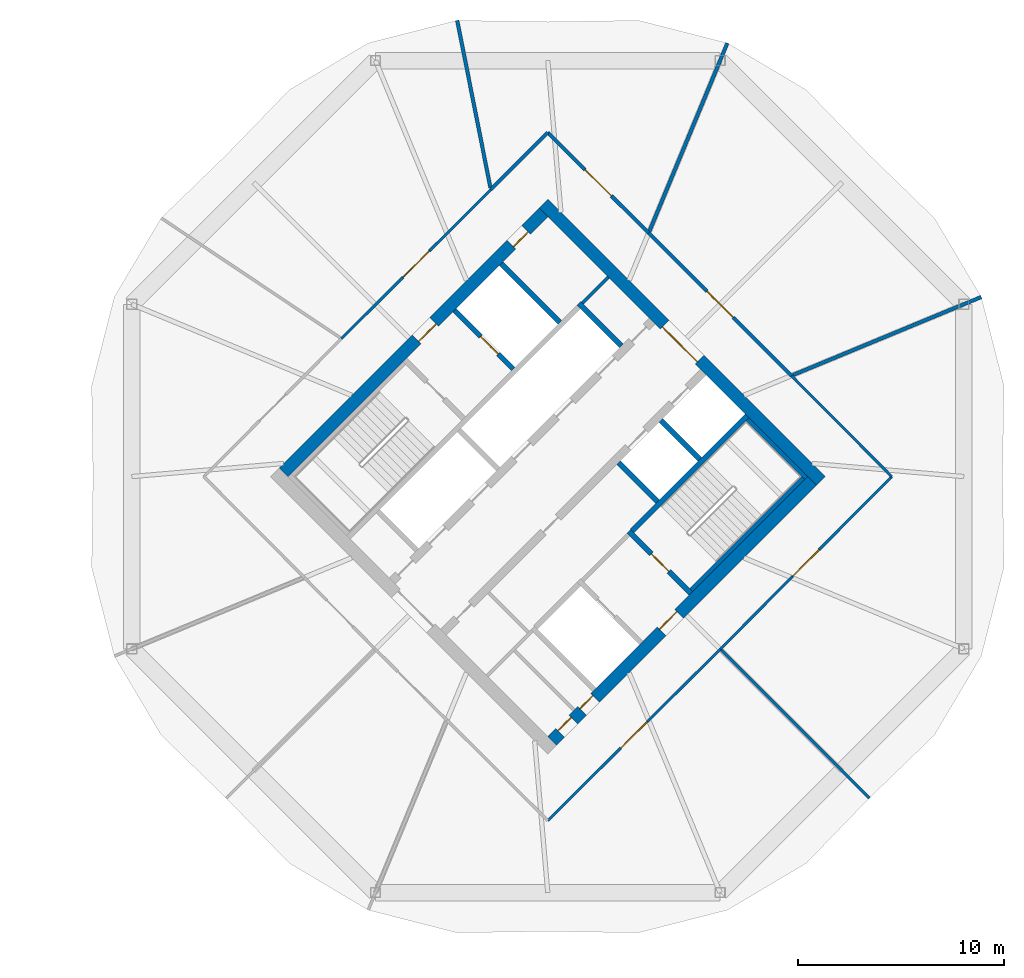
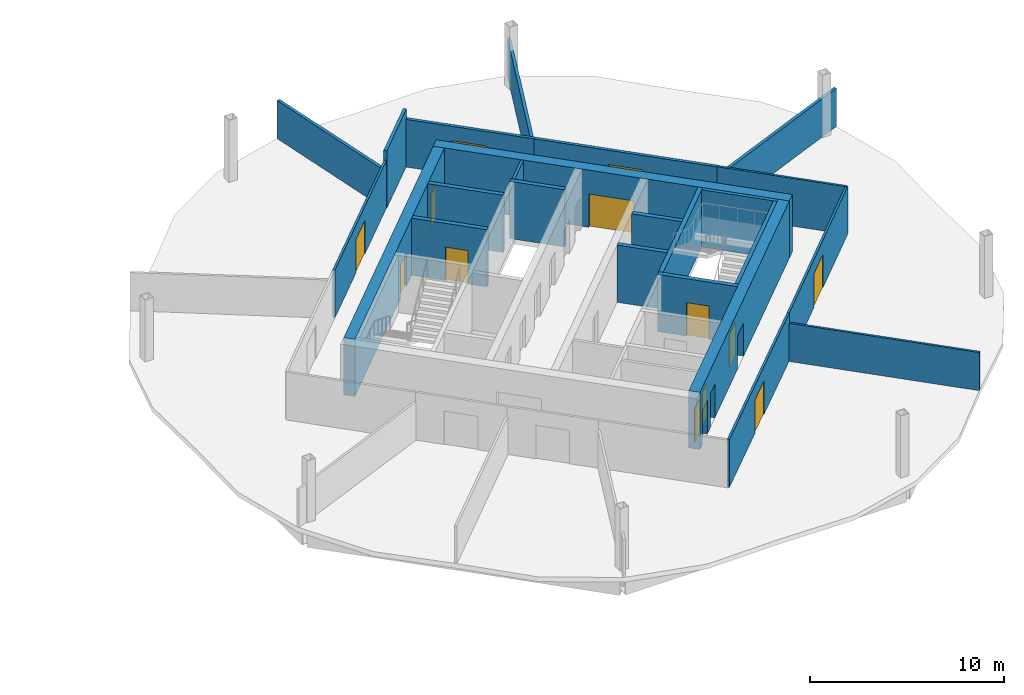
# One storey, part 8 of 10: 24 walls, 13 doors, 13 openings.
"""IFC4 building model written with IfcOpenShell, lengths in metres."""

from ifc_helpers import new_model, si_unit, direction, frame, frame_2d, origin, place, context, subcontext, project, spatial, rectangle, extrude, material, layer, layer_set, type_object, element, fill, save


model = new_model("IFC4")

# Units and contexts
model_context = context("Model", 3, precision=1e-05, world=origin(), true_north=direction((0.0, 1.0)))
body_context = subcontext(model_context, "Body", "Model", "MODEL_VIEW")
ifc_project = project(units=[si_unit("LENGTHUNIT", "METRE"), si_unit("AREAUNIT", "SQUARE_METRE"), si_unit("VOLUMEUNIT", "CUBIC_METRE"), si_unit("PLANEANGLEUNIT", "RADIAN"), si_unit("MASSUNIT", "GRAM", prefix="KILO")], contexts=[model_context])

# Site, building, storey
site_placement = place(None, origin())
site = spatial("IfcSite", under=ifc_project, at=site_placement, CompositionType="ELEMENT")
building_placement = place(site_placement, origin())
building = spatial("IfcBuilding", under=site, at=building_placement, Name="Ogive Gate Towers", CompositionType="ELEMENT")
storey_placement = place(building_placement, frame((0.0, 0.0, 169.5)))
storey = spatial("IfcBuildingStorey", under=building, at=storey_placement, Name="L40", CompositionType="ELEMENT", Elevation=169.5)

# Walls
ifc_material_1 = material(Name="Gypsum board acoustic partition")
ifc_layer_1 = layer(ifc_material_1, 0.175048828125)
ifc_layer_set_1 = layer_set([ifc_layer_1], Name="Acoustic partition 175")
wall_type_1 = type_object("IfcWallType", Name="Acoustic partition 175", PredefinedType="PARTITIONING", material=ifc_layer_set_1)
for number, where, z_axis, x_axis, name in (
    (1, (56.999755859375, 8.698486328125, 0.0), (0.0, 0.0, 1.0), (-0.923882696383, -0.382675794013, 0.0), "Partition T2-L40-001"),
    (2, (44.698486328125, 20.999755859375, 0.0), (0.0, 0.0, 1.0), (-0.382675794013, -0.923882696383, 0.0), "Partition T2-L40-002"),
):
    element("IfcWall", number, at=place(storey_placement, frame(where, z_axis=z_axis, x_axis=x_axis)), inside=storey, type_object=wall_type_1, Name=name, PredefinedType="PARTITIONING", context=body_context, shape_type="SweptSolid", body=[
        extrude(rectangle(XDim=9.87158203125, YDim=0.175048828125, at=frame_2d((4.935791015625, 0.0))), origin(), (0.0, 0.0, 1.0), 2.39990234375),
    ])
wall_1_placement = place(storey_placement, frame((31.612548828125, 22.09814453125, 0.0), z_axis=(0.0, 0.0, 1.0), x_axis=(0.194747981296, -0.9808533141, 0.0)))
element("IfcWall", 3, at=wall_1_placement, inside=storey, type_object=wall_type_1, Name="Partition T2-L40-003", PredefinedType="PARTITIONING", context=body_context, shape_type="SweptSolid", body=[
    extrude(rectangle(XDim=8.271484375, YDim=0.175048828125, at=frame_2d((4.1357421875, 0.0))), origin(), (0.0, 0.0, 1.0), 2.39990234375),
])

# Wall, opening, door
wall_2_placement = place(storey_placement, frame((40.88720703125, 11.798828125, 0.0), z_axis=(0.0, 0.0, 1.0), x_axis=(-0.709034527983, 0.705173764492, 0.0)))
wall_2 = element("IfcWall", 4, at=wall_2_placement, inside=storey, type_object=wall_type_1, Name="Partition T2-L40-009", PredefinedType="PARTITIONING", context=body_context, shape_type="SweptSolid", body=[
    extrude(rectangle(XDim=6.892822265625, YDim=0.175048828125, at=frame_2d((3.4462890625, 0.0))), origin(), (0.0, 0.0, 1.0), 3.0),
])
opening_1_placement = place(wall_2_placement, frame((2.5458984375, 0.0, 0.0)))
opening_1 = element("IfcOpeningElement", 5, at=opening_1_placement, cuts=wall_2, Name="Opening T2-L40-D01", PredefinedType="OPENING", context=body_context, shape_type="SweptSolid", body=[
    extrude(rectangle(XDim=1.800048828125, YDim=2.10009765625, at=frame_2d((0.89990234375, 1.050048828125))), frame((0.0, 0.09765625, 0.0), z_axis=(0.0, -1.0, 0.0), x_axis=(1.0, 0.0, 0.0)), (0.0, 0.0, 1.0), 0.195068359375),
])
ifc_material_2 = material(Name="Timber door", Category="wood")
door_type_1 = type_object("IfcDoorType", Name="Door pair 1800", OperationType="NOTDEFINED", PredefinedType="DOOR", material=ifc_material_2)
door_1_placement = place(opening_1_placement, origin())
door_1 = element("IfcDoor", 6, at=door_1_placement, inside=storey, type_object=door_type_1, Name="Door T2-L40-D01", OperationType="DOUBLE_DOOR_DOUBLE_SWING", OverallHeight=2.10009765625, OverallWidth=1.800048828125, PredefinedType="DOOR", context=body_context, shape_type="SweptSolid", body=[
    extrude(rectangle(XDim=1.800048828125, YDim=2.10009765625, at=frame_2d((0.89990234375, 1.050048828125))), frame((0.0, 0.02490234375, 0.0), z_axis=(0.0, -1.0, 0.0), x_axis=(1.0, 0.0, 0.0)), (0.0, 0.0, 1.0), 0.050048828125),
])
fill(opening_1, door_1)

# Wall
wall_3_placement = place(storey_placement, frame((36.0, 16.659423828125, 0.0), z_axis=(0.0, 0.0, 1.0), x_axis=(-0.707075505039, -0.707138055951, 0.0)))
element("IfcWall", 7, at=wall_3_placement, inside=storey, type_object=wall_type_1, Name="Partition T2-L40-010", PredefinedType="PARTITIONING", context=body_context, shape_type="SweptSolid", body=[
    extrude(rectangle(XDim=3.903076171875, YDim=0.175048828125, at=frame_2d((1.95166015625, 0.0))), origin(), (0.0, 0.0, 1.0), 3.60009765625),
])

# Wall, opening, door
wall_4_placement = place(storey_placement, frame((47.798828125, 4.88720703125, 0.0), z_axis=(0.0, 0.0, 1.0), x_axis=(-0.707106781187, 0.707106781187, 0.0)))
wall_4 = element("IfcWall", 8, at=wall_4_placement, inside=storey, type_object=wall_type_1, Name="Partition T2-L40-020", PredefinedType="PARTITIONING", context=body_context, shape_type="SweptSolid", body=[
    extrude(rectangle(XDim=9.7744140625, YDim=0.175048828125, at=frame_2d((4.88720703125, 0.0))), origin(), (0.0, 0.0, 1.0), 3.0),
])
opening_2_placement = place(wall_4_placement, frame((3.987060546875, 0.0, 0.0)))
opening_2 = element("IfcOpeningElement", 9, at=opening_2_placement, cuts=wall_4, Name="Opening T2-L40-D08", PredefinedType="OPENING", context=body_context, shape_type="SweptSolid", body=[
    extrude(rectangle(XDim=1.800048828125, YDim=2.10009765625, at=frame_2d((0.89990234375, 1.050048828125))), frame((0.0, 0.09765625, 0.0), z_axis=(0.0, -1.0, 0.0), x_axis=(1.0, 0.0, 0.0)), (0.0, 0.0, 1.0), 0.195068359375),
])
door_2_placement = place(opening_2_placement, origin())
door_2 = element("IfcDoor", 10, at=door_2_placement, inside=storey, type_object=door_type_1, Name="Door T2-L40-D08", OperationType="DOUBLE_DOOR_DOUBLE_SWING", OverallHeight=2.10009765625, OverallWidth=1.800048828125, PredefinedType="DOOR", context=body_context, shape_type="SweptSolid", body=[
    extrude(rectangle(XDim=1.800048828125, YDim=2.10009765625, at=frame_2d((0.89990234375, 1.050048828125))), frame((0.0, 0.02490234375, 0.0), z_axis=(0.0, -1.0, 0.0), x_axis=(1.0, 0.0, 0.0)), (0.0, 0.0, 1.0), 0.050048828125),
])
fill(opening_2, door_2)

# Wall, openings, doors
ifc_material_3 = material(Name="Concrete C60/75", Category="concrete")
ifc_layer_2 = layer(ifc_material_3, 0.60009765625)
ifc_layer_set_2 = layer_set([ifc_layer_2], Name="Core wall 600 mm")
wall_type_2 = type_object("IfcWallType", Name="Core wall 600 mm", PredefinedType="SHEAR", material=ifc_layer_set_2)
wall_5_placement = place(storey_placement, frame((36.212158203125, -12.798583984375, 0.0), z_axis=(0.0, 0.0, 1.0), x_axis=(0.707106781187, 0.707106781187, 0.0)))
wall_5 = element("IfcWall", 11, at=wall_5_placement, inside=storey, type_object=wall_type_2, Name="T2 L40 Core wall 600 mm", PredefinedType="SHEAR", context=body_context, shape_type="SweptSolid", body=[
    extrude(rectangle(XDim=17.7998046875, YDim=0.60009765625, at=frame_2d((8.89990234375, 0.0))), origin(), (0.0, 0.0, 1.0), 3.60009765625),
])
opening_3_placement = place(wall_5_placement, frame((7.5, 0.0, 0.0)))
opening_3 = element("IfcOpeningElement", 12, at=opening_3_placement, cuts=wall_5, Name="Opening KD-T2-L40-19", PredefinedType="OPENING", context=body_context, shape_type="SweptSolid", body=[
    extrude(rectangle(XDim=1.199951171875, YDim=2.10009765625, at=frame_2d((0.60009765625, 1.050048828125))), frame((0.0, 0.31005859375, 0.0), z_axis=(0.0, -1.0, 0.0), x_axis=(1.0, 0.0, 0.0)), (0.0, 0.0, 1.0), 0.6201171875),
])
opening_4_placement = place(wall_5_placement, frame((0.550048828125, 0.0, 0.0)))
opening_4 = element("IfcOpeningElement", 13, at=opening_4_placement, cuts=wall_5, Name="Opening KD-T2-L40-21", PredefinedType="OPENING", context=body_context, shape_type="SweptSolid", body=[
    extrude(rectangle(XDim=0.89990234375, YDim=2.10009765625, at=frame_2d((0.449951171875, 1.050048828125))), frame((0.0, 0.31005859375, 0.0), z_axis=(0.0, -1.0, 0.0), x_axis=(1.0, 0.0, 0.0)), (0.0, 0.0, 1.0), 0.6201171875),
])
opening_5_placement = place(wall_5_placement, frame((2.050048828125, 0.0, 0.0)))
opening_5 = element("IfcOpeningElement", 14, at=opening_5_placement, cuts=wall_5, Name="Opening KD-T2-L40-22", PredefinedType="OPENING", context=body_context, shape_type="SweptSolid", body=[
    extrude(rectangle(XDim=0.89990234375, YDim=2.10009765625, at=frame_2d((0.449951171875, 1.050048828125))), frame((0.0, 0.31005859375, 0.0), z_axis=(0.0, -1.0, 0.0), x_axis=(1.0, 0.0, 0.0)), (0.0, 0.0, 1.0), 0.6201171875),
])
door_type_2 = type_object("IfcDoorType", Name="Core WC door 900 x 2100", OperationType="NOTDEFINED", PredefinedType="DOOR", material=ifc_material_2)
door_3_placement = place(opening_4_placement, origin())
door_3 = element("IfcDoor", 15, at=door_3_placement, inside=storey, type_object=door_type_2, Name="T2 L40 Core door", OperationType="SINGLE_SWING_RIGHT", OverallHeight=2.10009765625, OverallWidth=0.89990234375, PredefinedType="DOOR", context=body_context, shape_type="SweptSolid", body=[
    extrude(rectangle(XDim=0.89990234375, YDim=2.10009765625, at=frame_2d((0.449951171875, 1.050048828125))), frame((0.0, 0.1748046875, 0.0), z_axis=(0.0, -1.0, 0.0), x_axis=(1.0, 0.0, 0.0)), (0.0, 0.0, 1.0), 0.050048828125),
])
fill(opening_4, door_3)
door_4_placement = place(opening_5_placement, origin())
door_4 = element("IfcDoor", 16, at=door_4_placement, inside=storey, type_object=door_type_2, Name="T2 L40 Core door", OperationType="SINGLE_SWING_LEFT", OverallHeight=2.10009765625, OverallWidth=0.89990234375, PredefinedType="DOOR", context=body_context, shape_type="SweptSolid", body=[
    extrude(rectangle(XDim=0.89990234375, YDim=2.10009765625, at=frame_2d((0.449951171875, 1.050048828125))), frame((0.0, 0.1748046875, 0.0), z_axis=(0.0, -1.0, 0.0), x_axis=(1.0, 0.0, 0.0)), (0.0, 0.0, 1.0), 0.050048828125),
])
fill(opening_5, door_4)
ifc_material_4 = material(Name="Steel fire door", Category="steel")
door_type_3 = type_object("IfcDoorType", Name="Core door FD60S 1200 x 2100", OperationType="NOTDEFINED", PredefinedType="DOOR", material=ifc_material_4)
door_5_placement = place(opening_3_placement, origin())
door_5 = element("IfcDoor", 17, at=door_5_placement, inside=storey, type_object=door_type_3, Name="T2 L40 Fire-fighting lobby door", OperationType="SINGLE_SWING_RIGHT", OverallHeight=2.10009765625, OverallWidth=1.199951171875, PredefinedType="DOOR", context=body_context, shape_type="SweptSolid", body=[
    extrude(rectangle(XDim=1.199951171875, YDim=2.10009765625, at=frame_2d((0.60009765625, 1.050048828125))), frame((0.0, 0.1748046875, 0.0), z_axis=(0.0, -1.0, 0.0), x_axis=(1.0, 0.0, 0.0)), (0.0, 0.0, 1.0), 0.050048828125),
])
fill(opening_3, door_5)

wall_6_placement = place(storey_placement, frame((23.201416015625, 0.212158203125, 0.0), z_axis=(0.0, 0.0, 1.0), x_axis=(0.707106781187, 0.707106781187, 0.0)))
wall_6 = element("IfcWall", 18, at=wall_6_placement, inside=storey, type_object=wall_type_2, Name="T2 L40 Core wall 600 mm", PredefinedType="SHEAR", context=body_context, shape_type="SweptSolid", body=[
    extrude(rectangle(XDim=17.7998046875, YDim=0.60009765625, at=frame_2d((8.89990234375, 0.0))), origin(), (0.0, 0.0, 1.0), 3.60009765625),
])
opening_6_placement = place(wall_6_placement, frame((9.10009765625, 0.0, 0.0)))
opening_6 = element("IfcOpeningElement", 19, at=opening_6_placement, cuts=wall_6, Name="Opening KD-T2-L40-18", PredefinedType="OPENING", context=body_context, shape_type="SweptSolid", body=[
    extrude(rectangle(XDim=1.199951171875, YDim=2.10009765625, at=frame_2d((0.60009765625, 1.050048828125))), frame((0.0, 0.31005859375, 0.0), z_axis=(0.0, -1.0, 0.0), x_axis=(1.0, 0.0, 0.0)), (0.0, 0.0, 1.0), 0.6201171875),
])
opening_7_placement = place(wall_6_placement, frame((15.60009765625, 0.0, 0.0)))
opening_7 = element("IfcOpeningElement", 20, at=opening_7_placement, cuts=wall_6, Name="Opening KD-T2-L40-20", PredefinedType="OPENING", context=body_context, shape_type="SweptSolid", body=[
    extrude(rectangle(XDim=1.0, YDim=2.10009765625, at=frame_2d((0.5, 1.050048828125))), frame((0.0, 0.31005859375, 0.0), z_axis=(0.0, -1.0, 0.0), x_axis=(1.0, 0.0, 0.0)), (0.0, 0.0, 1.0), 0.6201171875),
])
door_type_4 = type_object("IfcDoorType", Name="Accessible WC door 1000 x 2100", OperationType="NOTDEFINED", PredefinedType="DOOR", material=ifc_material_2)
door_6_placement = place(opening_7_placement, origin())
door_6 = element("IfcDoor", 21, at=door_6_placement, inside=storey, type_object=door_type_4, Name="T2 L40 Core door", OperationType="SINGLE_SWING_LEFT", OverallHeight=2.10009765625, OverallWidth=1.0, PredefinedType="DOOR", context=body_context, shape_type="SweptSolid", body=[
    extrude(rectangle(XDim=1.0, YDim=2.10009765625, at=frame_2d((0.5, 1.050048828125))), frame((0.0, -0.125, 0.0), z_axis=(0.0, -1.0, 0.0), x_axis=(1.0, 0.0, 0.0)), (0.0, 0.0, 1.0), 0.050048828125),
])
fill(opening_7, door_6)
door_7_placement = place(opening_6_placement, origin())
door_7 = element("IfcDoor", 22, at=door_7_placement, inside=storey, type_object=door_type_3, Name="T2 L40 Fire-fighting lobby door", OperationType="SINGLE_SWING_LEFT", OverallHeight=2.10009765625, OverallWidth=1.199951171875, PredefinedType="DOOR", context=body_context, shape_type="SweptSolid", body=[
    extrude(rectangle(XDim=1.199951171875, YDim=2.10009765625, at=frame_2d((0.60009765625, 1.050048828125))), frame((0.0, -0.125, 0.0), z_axis=(0.0, -1.0, 0.0), x_axis=(1.0, 0.0, 0.0)), (0.0, 0.0, 1.0), 0.050048828125),
])
fill(opening_6, door_7)

# Wall, opening, door
wall_7_placement = place(storey_placement, frame((49.222900390625, -0.212158203125, 0.0), z_axis=(0.0, 0.0, 1.0), x_axis=(-0.707106781187, 0.707106781187, 0.0)))
wall_7 = element("IfcWall", 23, at=wall_7_placement, inside=storey, type_object=wall_type_2, Name="T2 L40 Core wall 600 mm", PredefinedType="SHEAR", context=body_context, shape_type="SweptSolid", body=[
    extrude(rectangle(XDim=19.0, YDim=0.60009765625, at=frame_2d((9.5, 0.0))), origin(), (0.0, 0.0, 1.0), 3.60009765625),
])
opening_8_placement = place(wall_7_placement, frame((8.300048828125, 0.0, 0.0)))
opening_8 = element("IfcOpeningElement", 24, at=opening_8_placement, cuts=wall_7, Name="Opening KD-T2-L40-02", PredefinedType="OPENING", context=body_context, shape_type="SweptSolid", body=[
    extrude(rectangle(XDim=2.39990234375, YDim=2.10009765625, at=frame_2d((1.199951171875, 1.050048828125))), frame((0.0, 0.31005859375, 0.0), z_axis=(0.0, -1.0, 0.0), x_axis=(1.0, 0.0, 0.0)), (0.0, 0.0, 1.0), 0.6201171875),
])
door_type_5 = type_object("IfcDoorType", Name="Core double door FD60S 2400 x 2100", OperationType="DOUBLE_DOOR_SINGLE_SWING", PredefinedType="DOOR", material=ifc_material_4)
door_8_placement = place(opening_8_placement, origin())
door_8 = element("IfcDoor", 25, at=door_8_placement, inside=storey, type_object=door_type_5, Name="T2 L40 Core door double", OperationType="DOUBLE_DOOR_SINGLE_SWING", OverallHeight=2.10009765625, OverallWidth=2.39990234375, PredefinedType="DOOR", context=body_context, shape_type="SweptSolid", body=[
    extrude(rectangle(XDim=2.39990234375, YDim=2.10009765625, at=frame_2d((1.199951171875, 1.050048828125))), frame((0.0, 0.1748046875, 0.0), z_axis=(0.0, -1.0, 0.0), x_axis=(1.0, 0.0, 0.0)), (0.0, 0.0, 1.0), 0.050048828125),
])
fill(opening_8, door_8)

# Wall
ifc_material_5 = material(Name="Gypsum board partition")
ifc_layer_3 = layer(ifc_material_5, 0.125)
ifc_layer_set_3 = layer_set([ifc_layer_3], Name="Partition 125")
wall_type_3 = type_object("IfcWallType", Name="Partition 125", PredefinedType="PARTITIONING", material=ifc_layer_set_3)
wall_8_placement = place(storey_placement, frame((51.576904296875, -15.576904296875, 0.0), z_axis=(0.0, 0.0, 1.0), x_axis=(-0.707106781187, 0.707106781187, 0.0)))
element("IfcWall", 26, at=wall_8_placement, inside=storey, type_object=wall_type_3, Name="Partition T2-L40-008", PredefinedType="PARTITIONING", context=body_context, shape_type="SweptSolid", body=[
    extrude(rectangle(XDim=10.146728515625, YDim=0.125, at=frame_2d((5.0732421875, 0.0))), origin(), (0.0, 0.0, 1.0), 2.39990234375),
])

# Wall, opening, door
wall_9_placement = place(storey_placement, frame((33.240234375, 13.8994140625, 0.0), z_axis=(0.0, 0.0, 1.0), x_axis=(-0.707847093998, -0.706365692484, 0.0)))
wall_9 = element("IfcWall", 27, at=wall_9_placement, inside=storey, type_object=wall_type_3, Name="Partition T2-L40-011", PredefinedType="PARTITIONING", context=body_context, shape_type="SweptSolid", body=[
    extrude(rectangle(XDim=10.2177734375, YDim=0.125, at=frame_2d((5.10888671875, 0.0))), origin(), (0.0, 0.0, 1.0), 3.0),
])
opening_9_placement = place(wall_9_placement, frame((4.208984375, 0.0, 0.0)))
opening_9 = element("IfcOpeningElement", 28, at=opening_9_placement, cuts=wall_9, Name="Opening T2-L40-D02", PredefinedType="OPENING", context=body_context, shape_type="SweptSolid", body=[
    extrude(rectangle(XDim=1.800048828125, YDim=2.10009765625, at=frame_2d((0.89990234375, 1.050048828125))), frame((0.0, 0.072509765625, 0.0), z_axis=(0.0, -1.0, 0.0), x_axis=(1.0, 0.0, 0.0)), (0.0, 0.0, 1.0), 0.14501953125),
])
door_9_placement = place(opening_9_placement, origin())
door_9 = element("IfcDoor", 29, at=door_9_placement, inside=storey, type_object=door_type_1, Name="Door T2-L40-D02", OperationType="DOUBLE_DOOR_DOUBLE_SWING", OverallHeight=2.10009765625, OverallWidth=1.800048828125, PredefinedType="DOOR", context=body_context, shape_type="SweptSolid", body=[
    extrude(rectangle(XDim=1.800048828125, YDim=2.10009765625, at=frame_2d((0.89990234375, 1.050048828125))), frame((0.0, 0.02490234375, 0.0), z_axis=(0.0, -1.0, 0.0), x_axis=(1.0, 0.0, 0.0)), (0.0, 0.0, 1.0), 0.050048828125),
])
fill(opening_9, door_9)

wall_10_placement = place(storey_placement, frame((36.0, -16.659423828125, 0.0), z_axis=(0.0, 0.0, 1.0), x_axis=(0.709496456229, 0.70470900278, 0.0)))
wall_10 = element("IfcWall", 30, at=wall_10_placement, inside=storey, type_object=wall_type_3, Name="Partition T2-L40-016", PredefinedType="PARTITIONING", context=body_context, shape_type="SweptSolid", body=[
    extrude(rectangle(XDim=11.780029296875, YDim=0.125, at=frame_2d((5.89013671875, 0.0))), origin(), (0.0, 0.0, 1.0), 3.0),
])
opening_10_placement = place(wall_10_placement, frame((4.989990234375, 0.0, 0.0)))
opening_10 = element("IfcOpeningElement", 31, at=opening_10_placement, cuts=wall_10, Name="Opening T2-L40-D06", PredefinedType="OPENING", context=body_context, shape_type="SweptSolid", body=[
    extrude(rectangle(XDim=1.800048828125, YDim=2.10009765625, at=frame_2d((0.89990234375, 1.050048828125))), frame((0.0, 0.072509765625, 0.0), z_axis=(0.0, -1.0, 0.0), x_axis=(1.0, 0.0, 0.0)), (0.0, 0.0, 1.0), 0.14501953125),
])
door_10_placement = place(opening_10_placement, origin())
door_10 = element("IfcDoor", 32, at=door_10_placement, inside=storey, type_object=door_type_1, Name="Door T2-L40-D06", OperationType="DOUBLE_DOOR_DOUBLE_SWING", OverallHeight=2.10009765625, OverallWidth=1.800048828125, PredefinedType="DOOR", context=body_context, shape_type="SweptSolid", body=[
    extrude(rectangle(XDim=1.800048828125, YDim=2.10009765625, at=frame_2d((0.89990234375, 1.050048828125))), frame((0.0, 0.02490234375, 0.0), z_axis=(0.0, -1.0, 0.0), x_axis=(1.0, 0.0, 0.0)), (0.0, 0.0, 1.0), 0.050048828125),
])
fill(opening_10, door_10)

wall_11_placement = place(storey_placement, frame((44.35791015625, -8.35791015625, 0.0), z_axis=(0.0, 0.0, 1.0), x_axis=(0.70470900278, 0.709496456229, 0.0)))
wall_11 = element("IfcWall", 33, at=wall_11_placement, inside=storey, type_object=wall_type_3, Name="Partition T2-L40-018", PredefinedType="PARTITIONING", context=body_context, shape_type="SweptSolid", body=[
    extrude(rectangle(XDim=11.780029296875, YDim=0.125, at=frame_2d((5.89013671875, 0.0))), origin(), (0.0, 0.0, 1.0), 3.0),
])
opening_11_placement = place(wall_11_placement, frame((4.989990234375, 0.0, 0.0)))
opening_11 = element("IfcOpeningElement", 34, at=opening_11_placement, cuts=wall_11, Name="Opening T2-L40-D07", PredefinedType="OPENING", context=body_context, shape_type="SweptSolid", body=[
    extrude(rectangle(XDim=1.800048828125, YDim=2.10009765625, at=frame_2d((0.89990234375, 1.050048828125))), frame((0.0, 0.072509765625, 0.0), z_axis=(0.0, -1.0, 0.0), x_axis=(1.0, 0.0, 0.0)), (0.0, 0.0, 1.0), 0.14501953125),
])
door_11_placement = place(opening_11_placement, origin())
door_11 = element("IfcDoor", 35, at=door_11_placement, inside=storey, type_object=door_type_1, Name="Door T2-L40-D07", OperationType="DOUBLE_DOOR_DOUBLE_SWING", OverallHeight=2.10009765625, OverallWidth=1.800048828125, PredefinedType="DOOR", context=body_context, shape_type="SweptSolid", body=[
    extrude(rectangle(XDim=1.800048828125, YDim=2.10009765625, at=frame_2d((0.89990234375, 1.050048828125))), frame((0.0, 0.02490234375, 0.0), z_axis=(0.0, -1.0, 0.0), x_axis=(1.0, 0.0, 0.0)), (0.0, 0.0, 1.0), 0.050048828125),
])
fill(opening_11, door_11)

# Walls
wall_12_placement = place(storey_placement, frame((52.659423828125, 0.0, 0.0), z_axis=(0.0, 0.0, 1.0), x_axis=(-0.705173764492, 0.709034527983, 0.0)))
element("IfcWall", 36, at=wall_12_placement, inside=storey, type_object=wall_type_3, Name="Partition T2-L40-019", PredefinedType="PARTITIONING", context=body_context, shape_type="SweptSolid", body=[
    extrude(rectangle(XDim=6.892822265625, YDim=0.125, at=frame_2d((3.4462890625, 0.0))), origin(), (0.0, 0.0, 1.0), 3.0),
])
ifc_layer_4 = layer(ifc_material_5, 0.14990234375)
ifc_layer_set_4 = layer_set([ifc_layer_4], Name="Room partition 150 mm")
wall_type_4 = type_object("IfcWallType", Name="Room partition 150 mm", PredefinedType="PARTITIONING", material=ifc_layer_set_4)
wall_13_placement = place(storey_placement, frame((37.679443359375, 8.39697265625, 0.0), z_axis=(0.0, 0.0, 1.0), x_axis=(0.707106781187, 0.707106781187, 0.0)))
element("IfcWall", 37, at=wall_13_placement, inside=storey, type_object=wall_type_4, Name="T2 L40 Room partition 150 mm", PredefinedType="PARTITIONING", context=body_context, shape_type="SweptSolid", body=[
    extrude(rectangle(XDim=1.77490234375, YDim=0.14990234375, at=frame_2d((0.887451171875, 0.0))), origin(), (0.0, 0.0, 1.0), 3.60009765625),
])
ifc_layer_5 = layer(ifc_material_3, 0.25)
ifc_layer_set_5 = layer_set([ifc_layer_5], Name="Shaft wall 250 mm")
wall_type_5 = type_object("IfcWallType", Name="Shaft wall 250 mm", PredefinedType="SHEAR", material=ifc_layer_set_5)
wall_14_placement = place(storey_placement, frame((40.08349609375, -2.634033203125, 0.0), z_axis=(0.0, 0.0, 1.0), x_axis=(0.707106781187, 0.707106781187, 0.0)))
element("IfcWall", 38, at=wall_14_placement, inside=storey, type_object=wall_type_5, Name="T2 L40 Shaft wall 250 mm", PredefinedType="SHEAR", context=body_context, shape_type="SweptSolid", body=[
    extrude(rectangle(XDim=7.875244140625, YDim=0.25, at=frame_2d((3.9375, 0.0))), origin(), (0.0, 0.0, 1.0), 3.60009765625),
])

# Wall, opening, door
wall_15_placement = place(storey_placement, frame((42.9296875, -5.656982421875, 0.0), z_axis=(0.0, 0.0, 1.0), x_axis=(-0.707106781187, 0.707106781187, 0.0)))
wall_15 = element("IfcWall", 39, at=wall_15_placement, inside=storey, type_object=wall_type_5, Name="T2 L40 Shaft wall 250 mm", PredefinedType="SHEAR", context=body_context, shape_type="SweptSolid", body=[
    extrude(rectangle(XDim=4.250244140625, YDim=0.25, at=frame_2d((2.125, 0.0))), origin(), (0.0, 0.0, 1.0), 3.60009765625),
])
opening_12_placement = place(wall_15_placement, frame((1.5, 0.0, 0.0)))
opening_12 = element("IfcOpeningElement", 40, at=opening_12_placement, cuts=wall_15, Name="Opening KD-T2-L40-17", PredefinedType="OPENING", context=body_context, shape_type="SweptSolid", body=[
    extrude(rectangle(XDim=1.199951171875, YDim=2.10009765625, at=frame_2d((0.60009765625, 1.050048828125))), frame((0.0, 0.135009765625, 0.0), z_axis=(0.0, -1.0, 0.0), x_axis=(1.0, 0.0, 0.0)), (0.0, 0.0, 1.0), 0.27001953125),
])
door_12_placement = place(opening_12_placement, origin())
door_12 = element("IfcDoor", 41, at=door_12_placement, inside=storey, type_object=door_type_3, Name="T2 L40 Stair door", OperationType="SINGLE_SWING_RIGHT", OverallHeight=2.10009765625, OverallWidth=1.199951171875, PredefinedType="DOOR", context=body_context, shape_type="SweptSolid", body=[
    extrude(rectangle(XDim=1.199951171875, YDim=2.10009765625, at=frame_2d((0.60009765625, 1.050048828125))), frame((0.0, 0.02490234375, 0.0), z_axis=(0.0, -1.0, 0.0), x_axis=(1.0, 0.0, 0.0)), (0.0, 0.0, 1.0), 0.050048828125),
])
fill(opening_12, door_12)

wall_16_placement = place(storey_placement, frame((34.320556640625, 5.21484375, 0.0), z_axis=(0.0, 0.0, 1.0), x_axis=(-0.70707645213, 0.707137108942, 0.0)))
wall_16 = element("IfcWall", 42, at=wall_16_placement, inside=storey, type_object=wall_type_5, Name="T2 L40 Shaft wall 250 mm", PredefinedType="SHEAR", context=body_context, shape_type="SweptSolid", body=[
    extrude(rectangle(XDim=4.02490234375, YDim=0.25, at=frame_2d((2.012451171875, 0.0))), origin(), (0.0, 0.0, 1.0), 3.60009765625),
])
opening_13_placement = place(wall_16_placement, frame((1.02490234375, 0.0, 0.0)))
opening_13 = element("IfcOpeningElement", 43, at=opening_13_placement, cuts=wall_16, Name="Opening LD-T2-L40-12", PredefinedType="OPENING", context=body_context, shape_type="SweptSolid", body=[
    extrude(rectangle(XDim=1.199951171875, YDim=2.10009765625, at=frame_2d((0.60009765625, 1.050048828125))), frame((0.0, 0.135009765625, 0.0), z_axis=(0.0, -1.0, 0.0), x_axis=(1.0, 0.0, 0.0)), (0.0, 0.0, 1.0), 0.27001953125),
])
ifc_material_6 = material(Name="Stainless steel landing door", Category="steel")
door_type_6 = type_object("IfcDoorType", Name="Landing door 1200 x 2100", OperationType="SLIDING_TO_LEFT", PredefinedType="DOOR", material=ifc_material_6)
door_13_placement = place(opening_13_placement, origin())
door_13 = element("IfcDoor", 44, at=door_13_placement, inside=storey, type_object=door_type_6, Name="T2 L40 Lift landing door FF1", OperationType="SLIDING_TO_LEFT", OverallHeight=2.10009765625, OverallWidth=1.199951171875, PredefinedType="DOOR", context=body_context, shape_type="SweptSolid", body=[
    extrude(rectangle(XDim=1.199951171875, YDim=2.10009765625, at=frame_2d((0.60009765625, 1.050048828125))), frame((0.0, 0.02490234375, 0.0), z_axis=(0.0, -1.0, 0.0), x_axis=(1.0, 0.0, 0.0)), (0.0, 0.0, 1.0), 0.050048828125),
])
fill(opening_13, door_13)

# Walls
wall_17_placement = place(storey_placement, frame((41.321044921875, -1.2197265625, 0.0), z_axis=(0.0, 0.0, 1.0), x_axis=(-0.707106781187, 0.707106781187, 0.0)))
element("IfcWall", 45, at=wall_17_placement, inside=storey, type_object=wall_type_5, Name="T2 L40 Shaft wall 250 mm", PredefinedType="SHEAR", context=body_context, shape_type="SweptSolid", body=[
    extrude(rectangle(XDim=2.675048828125, YDim=0.25, at=frame_2d((1.33740234375, 0.0))), origin(), (0.0, 0.0, 1.0), 3.60009765625),
])
wall_18_placement = place(storey_placement, frame((36.58349609375, 7.477783203125, 0.0), z_axis=(0.0, 0.0, 1.0), x_axis=(-0.707137108942, 0.70707645213, 0.0)))
element("IfcWall", 46, at=wall_18_placement, inside=storey, type_object=wall_type_5, Name="T2 L40 Shaft wall 250 mm", PredefinedType="SHEAR", context=body_context, shape_type="SweptSolid", body=[
    extrude(rectangle(XDim=4.02490234375, YDim=0.25, at=frame_2d((2.012451171875, 0.0))), origin(), (0.0, 0.0, 1.0), 3.60009765625),
])
wall_19_placement = place(storey_placement, frame((43.37158203125, 0.830810546875, 0.0), z_axis=(0.0, 0.0, 1.0), x_axis=(-0.707106781187, 0.707106781187, 0.0)))
element("IfcWall", 47, at=wall_19_placement, inside=storey, type_object=wall_type_5, Name="T2 L40 Shaft wall 250 mm", PredefinedType="SHEAR", context=body_context, shape_type="SweptSolid", body=[
    extrude(rectangle(XDim=2.675048828125, YDim=0.25, at=frame_2d((1.33740234375, 0.0))), origin(), (0.0, 0.0, 1.0), 3.60009765625),
])
wall_20_placement = place(storey_placement, frame((39.57080078125, 6.32861328125, 0.0), z_axis=(0.0, 0.0, 1.0), x_axis=(-0.707065045505, 0.707148514405, 0.0)))
element("IfcWall", 48, at=wall_20_placement, inside=storey, type_object=wall_type_5, Name="T2 L40 Shaft wall 250 mm", PredefinedType="SHEAR", context=body_context, shape_type="SweptSolid", body=[
    extrude(rectangle(XDim=2.925048828125, YDim=0.25, at=frame_2d((1.46240234375, 0.0))), origin(), (0.0, 0.0, 1.0), 3.60009765625),
])
ifc_layer_6 = layer(ifc_material_3, 0.199951171875)
ifc_layer_set_6 = layer_set([ifc_layer_6], Name="Stair wall 200 mm")
wall_type_6 = type_object("IfcWallType", Name="Stair wall 200 mm", PredefinedType="SHEAR", material=ifc_layer_set_6)
wall_21_placement = place(storey_placement, frame((42.947265625, -5.497802734375, 0.0), z_axis=(0.0, 0.0, 1.0), x_axis=(0.707122685701, 0.707090876314, 0.0)))
element("IfcWall", 49, at=wall_21_placement, inside=storey, type_object=wall_type_6, Name="T2 L40 Stair wall 200 mm", PredefinedType="SHEAR", context=body_context, shape_type="SweptSolid", body=[
    extrude(rectangle(XDim=7.675048828125, YDim=0.199951171875, at=frame_2d((3.83740234375, 0.0))), origin(), (0.0, 0.0, 1.0), 3.60009765625),
])
wall_22_placement = place(storey_placement, frame((48.515869140625, -0.07080078125, 0.0), z_axis=(0.0, 0.0, 1.0), x_axis=(-0.707106781187, 0.707106781187, 0.0)))
element("IfcWall", 50, at=wall_22_placement, inside=storey, type_object=wall_type_6, Name="T2 L40 Stair wall 200 mm", PredefinedType="SHEAR", context=body_context, shape_type="SweptSolid", body=[
    extrude(rectangle(XDim=4.025146484375, YDim=0.199951171875, at=frame_2d((2.0126953125, 0.0))), origin(), (0.0, 0.0, 1.0), 3.60009765625),
])

save(model, "model.ifc")
